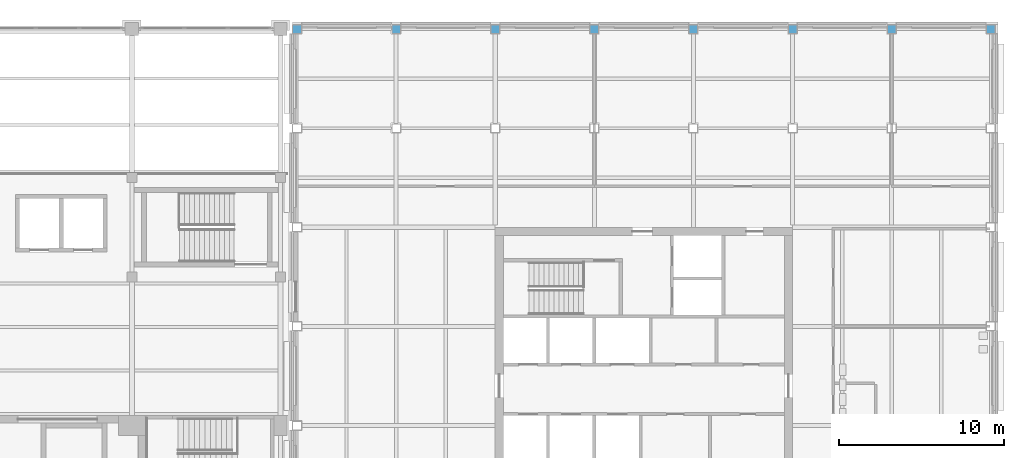
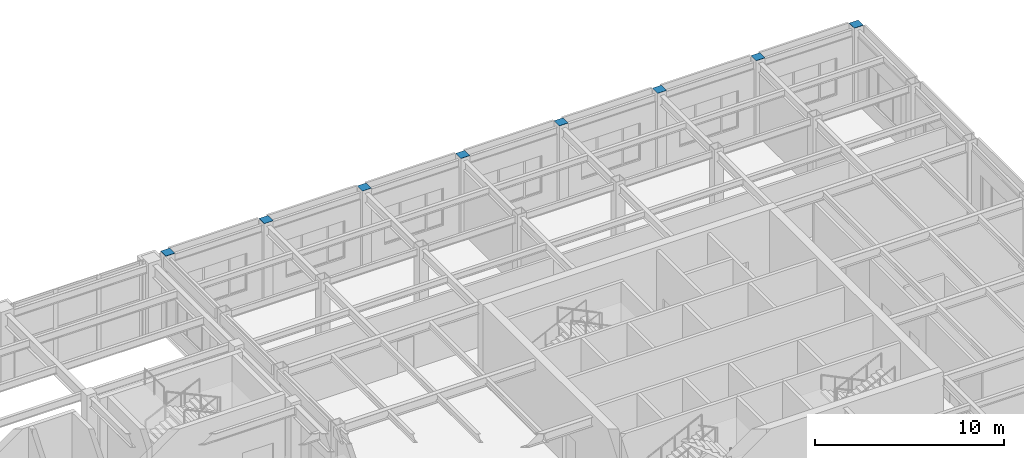
# One storey, part 65 of 76: 8 discrete accessories.
"""IFC4 building model written with IfcOpenShell, lengths in metres."""

from ifc_helpers import new_model, si_unit, direction, frame, origin, place, context, subcontext, project, spatial, polyline, outline, extrude, material, layer, layer_set, type_object, element, save


model = new_model("IFC4")

# Units and contexts
model_context = context("Model", 3, precision=1e-05, world=origin(), true_north=direction((0.0, 1.0)))
body_context = subcontext(model_context, "Body", "Model", "MODEL_VIEW")
ifc_project = project(units=[si_unit("LENGTHUNIT", "METRE"), si_unit("AREAUNIT", "SQUARE_METRE"), si_unit("VOLUMEUNIT", "CUBIC_METRE"), si_unit("PLANEANGLEUNIT", "RADIAN"), si_unit("MASSUNIT", "GRAM", prefix="KILO")], contexts=[model_context])

# Site, building, storey
site_placement = place(None, origin())
site = spatial("IfcSite", under=ifc_project, at=site_placement, CompositionType="ELEMENT")
building_placement = place(site_placement, origin())
building = spatial("IfcBuilding", under=site, at=building_placement, Name="Aravalli Gate Trade Fair Centre", CompositionType="ELEMENT")
storey_placement = place(building_placement, frame((0.0, 0.0, 10.0)))
storey = spatial("IfcBuildingStorey", under=building, at=storey_placement, Name="L02", CompositionType="ELEMENT", Elevation=10.0)

# Discrete accessories
ifc_material = material(Name="Steel E350", Category="steel")
ifc_layer = layer(ifc_material, 0.01611328125)
ifc_layer_set = layer_set([ifc_layer], Name="Steel E350")
discrete_accessory_type = type_object("IfcDiscreteAccessoryType", Name="End plate 550x550 x 16", PredefinedType="USERDEFINED", material=ifc_layer_set)
for number, where, z_axis, x_axis, name in (
    (1, (159.72509765625, 132.72509765625, 5.01611328125), (0.0, 0.0, 1.0), (1.0, 0.0, 0.0), "End plate Wing column 18/K L02 end B"),
    (2, (165.72509765625, 132.72509765625, 5.01611328125), (0.0, 0.0, 1.0), (1.0, 0.0, 0.0), "End plate Wing column 19/K L02 end B"),
    (3, (171.72509765625, 132.72509765625, 5.01611328125), (0.0, 0.0, 1.0), (1.0, 0.0, 0.0), "End plate Wing column 20/K L02 end B"),
    (4, (177.72509765625, 132.72509765625, 5.01611328125), (0.0, 0.0, 1.0), (1.0, 0.0, 0.0), "End plate Wing column 21/K L02 end B"),
    (5, (183.72509765625, 132.72509765625, 5.01611328125), (0.0, 0.0, 1.0), (1.0, 0.0, 0.0), "End plate Wing column 22/K L02 end B"),
    (6, (189.72509765625, 132.72509765625, 5.01611328125), (0.0, 0.0, 1.0), (1.0, 0.0, 0.0), "End plate Wing column 23/K L02 end B"),
    (7, (195.72509765625, 132.72509765625, 5.01611328125), (0.0, 0.0, 1.0), (1.0, 0.0, 0.0), "End plate Wing column 24/K L02 end B"),
    (8, (201.72509765625, 132.72509765625, 5.01611328125), (0.0, 0.0, 1.0), (1.0, 0.0, 0.0), "End plate Wing column 25/K L02 end B"),
):
    element("IfcDiscreteAccessory", number, at=place(storey_placement, frame(where, z_axis=z_axis, x_axis=x_axis)), inside=storey, type_object=discrete_accessory_type, Name=name, ObjectType="END CAP", PredefinedType="USERDEFINED", context=body_context, shape_type="SweptSolid", body=[
        extrude(outline(polyline([(0.0, 0.0), (0.5498046875, 0.0), (0.5498046875, 0.5498046875), (0.0, 0.5498046875), (0.0, 0.0)])), origin(), (0.0, 0.0, -1.0), 0.01611328125),
    ])

save(model, "model.ifc")
